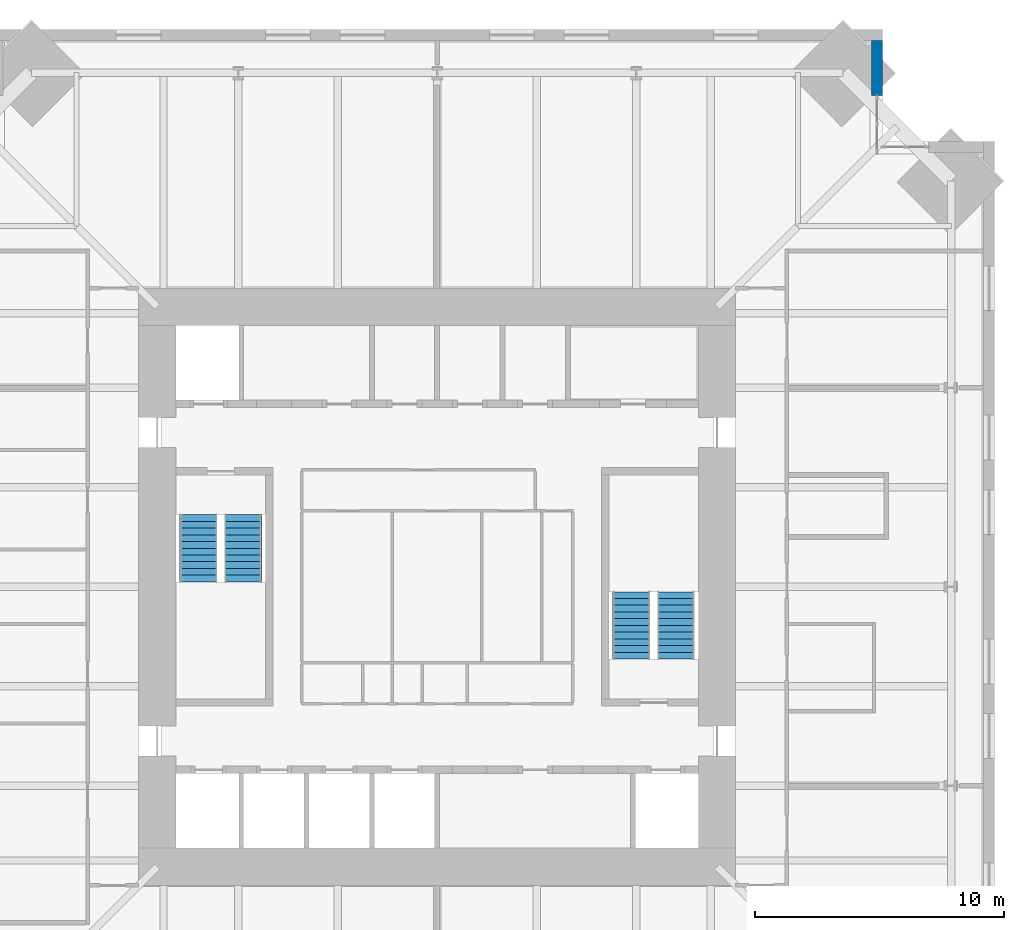
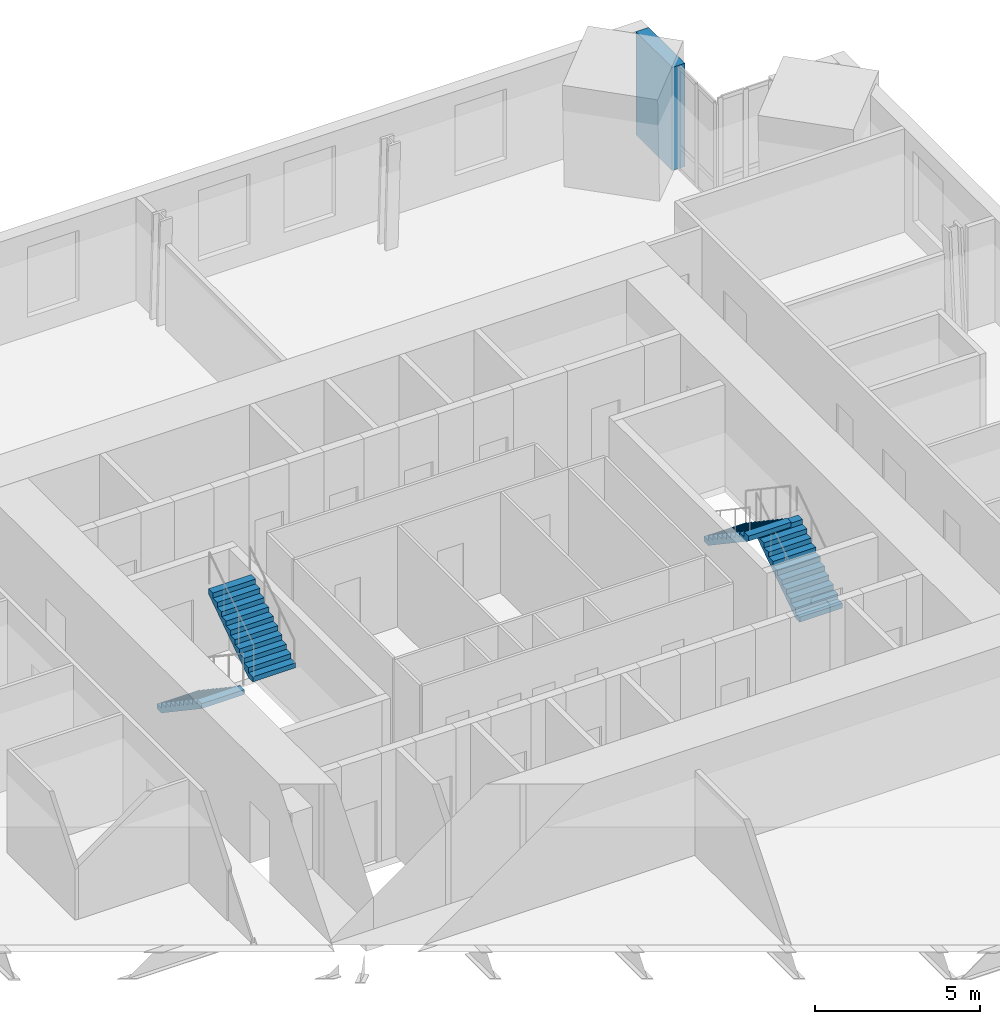
# One storey, part 16 of 17: 4 stair flights, 1 wall, 2 elements without a shape of their own.
"""IFC4 building model written with IfcOpenShell, lengths in metres."""

from ifc_helpers import new_model, si_unit, direction, frame, frame_2d, origin, place, context, subcontext, project, spatial, polyline, rectangle, outline, extrude, material, layer, layer_set, type_object, element, aggregate, save


model = new_model("IFC4")

# Units and contexts
model_context = context("Model", 3, precision=1e-05, world=origin(), true_north=direction((0.0, 1.0)))
body_context = subcontext(model_context, "Body", "Model", "MODEL_VIEW")
ifc_project = project(units=[si_unit("LENGTHUNIT", "METRE"), si_unit("AREAUNIT", "SQUARE_METRE"), si_unit("VOLUMEUNIT", "CUBIC_METRE"), si_unit("PLANEANGLEUNIT", "RADIAN"), si_unit("MASSUNIT", "GRAM", prefix="KILO")], contexts=[model_context])

# Site, building, storey
site_placement = place(None, origin())
site = spatial("IfcSite", under=ifc_project, at=site_placement, CompositionType="ELEMENT")
building_placement = place(site_placement, origin())
building = spatial("IfcBuilding", under=site, at=building_placement, Name="Peilmerk Tower", CompositionType="ELEMENT")
storey_placement = place(building_placement, frame((0.0, 0.0, 253.800048828125)))
storey = spatial("IfcBuildingStorey", under=building, at=storey_placement, Name="L56", CompositionType="ELEMENT", Elevation=253.800048828125)

# Wall
ifc_material_1 = material(Name="Precast concrete C45/55, board-marked finish", Category="concrete")
ifc_layer = layer(ifc_material_1, 0.449951171875)
ifc_layer_set = layer_set([ifc_layer], Name="Precast concrete C45/55, board-marked finish")
wall_type = type_object("IfcWallType", Name="EW1 450 precast concrete facade wall, board-marked", PredefinedType="SOLIDWALL", material=ifc_layer_set)
wall_placement = place(storey_placement, frame((17.675048828125, 19.753662109375, 0.0), z_axis=(0.0, 0.0, 1.0), x_axis=(0.0, 1.0, 0.0)))
element("IfcWall", 1, at=wall_placement, inside=storey, type_object=wall_type, Name="Facade wall NEA L56", PredefinedType="SOLIDWALL", context=body_context, shape_type="SweptSolid", body=[
    extrude(rectangle(XDim=2.1962890625, YDim=0.449951171875, at=frame_2d((1.09814453125, 0.0))), origin(), (0.0, 0.0, 1.0), 3.829833984375),
])

# Stair, stair flights
ifc_material_2 = material(Name="Precast concrete C45/55", Category="concrete")
stair_type_1 = type_object("IfcStairType", Name="ST1 22 risers of 181.8", PredefinedType="HALF_TURN_STAIR", material=ifc_material_2)
stair_1_placement = place(storey_placement, origin())
stair_1 = element("IfcStair", 2, at=stair_1_placement, inside=storey, type_object=stair_type_1, Name="Stair 1 L56 to L57", PredefinedType="HALF_TURN_STAIR")
stair_flight_type = type_object("IfcStairFlightType", Name="SF11 flight, 11 risers of 181.8", PredefinedType="STRAIGHT", material=ifc_material_2)
stair_flight_1_placement = place(storey_placement, frame((-9.60009765625, 2.89990234375, 0.0), z_axis=(0.0, 0.0, 1.0), x_axis=(0.0, -1.0, 0.0)))
stair_flight_1 = element("IfcStairFlight", 3, at=stair_flight_1_placement, type_object=stair_flight_type, Name="ST1 flight 1", NumberOfRisers=11, NumberOfTreads=10, PredefinedType="STRAIGHT", RiserHeight=0.181818182, TreadLength=0.27, context=body_context, shape_type="SweptSolid", body=[
    extrude(outline(polyline([(0.0, 0.0), (0.0, 0.181884765625), (0.27001953125, 0.181884765625), (0.27001953125, 0.363525390625), (0.5400390625, 0.363525390625), (0.5400390625, 0.54541015625), (0.81005859375, 0.54541015625), (0.81005859375, 0.727294921875), (1.080078125, 0.727294921875), (1.080078125, 0.9091796875), (1.35009765625, 0.9091796875), (1.35009765625, 1.0908203125), (1.6201171875, 1.0908203125), (1.6201171875, 1.272705078125), (1.889892578125, 1.272705078125), (1.889892578125, 1.45458984375), (2.159912109375, 1.45458984375), (2.159912109375, 1.636474609375), (2.429931640625, 1.636474609375), (2.429931640625, 1.818115234375), (2.699951171875, 1.818115234375), (2.699951171875, 2.0), (2.699951171875, 1.637451171875), (0.268310546875, 0.0), (0.0, 0.0)])), frame((0.0, 0.75, 0.0), z_axis=(0.0, -1.0, 0.0), x_axis=(1.0, 0.0, 0.0)), (0.0, 0.0, 1.0), 1.5),
])
stair_flight_2_placement = place(storey_placement, frame((-7.800048828125, 0.199951171875, 2.0), z_axis=(0.0, 0.0, 1.0), x_axis=(0.0, 1.0, 0.0)))
stair_flight_2 = element("IfcStairFlight", 4, at=stair_flight_2_placement, type_object=stair_flight_type, Name="ST1 flight 2", NumberOfRisers=11, NumberOfTreads=10, PredefinedType="STRAIGHT", RiserHeight=0.181818182, TreadLength=0.27, context=body_context, shape_type="SweptSolid", body=[
    extrude(outline(polyline([(0.0, 0.0), (0.0, 0.181884765625), (0.27001953125, 0.181884765625), (0.27001953125, 0.363525390625), (0.5400390625, 0.363525390625), (0.5400390625, 0.54541015625), (0.81005859375, 0.54541015625), (0.81005859375, 0.727294921875), (1.080078125, 0.727294921875), (1.080078125, 0.9091796875), (1.35009765625, 0.9091796875), (1.35009765625, 1.0908203125), (1.6201171875, 1.0908203125), (1.6201171875, 1.272705078125), (1.889892578125, 1.272705078125), (1.889892578125, 1.45458984375), (2.159912109375, 1.45458984375), (2.159912109375, 1.636474609375), (2.429931640625, 1.636474609375), (2.429931640625, 1.818115234375), (2.699951171875, 1.818115234375), (2.699951171875, 2.0), (2.699951171875, 1.637451171875), (0.268310546875, 0.0), (0.0, 0.0)])), frame((0.0, 0.75, 0.0), z_axis=(0.0, -1.0, 0.0), x_axis=(1.0, 0.0, 0.0)), (0.0, 0.0, 1.0), 1.5),
])
aggregate(stair_1, [stair_flight_1, stair_flight_2])

stair_type_2 = type_object("IfcStairType", Name="ST2 22 risers of 181.8", PredefinedType="HALF_TURN_STAIR", material=ifc_material_2)
stair_2_placement = place(storey_placement, origin())
stair_2 = element("IfcStair", 5, at=stair_2_placement, inside=storey, type_object=stair_type_2, Name="Stair 2 L56 to L57", PredefinedType="HALF_TURN_STAIR")
stair_flight_3_placement = place(storey_placement, frame((9.60009765625, -2.89990234375, 0.0), z_axis=(0.0, 0.0, 1.0), x_axis=(0.0, 1.0, 0.0)))
stair_flight_3 = element("IfcStairFlight", 6, at=stair_flight_3_placement, type_object=stair_flight_type, Name="ST2 flight 1", NumberOfRisers=11, NumberOfTreads=10, PredefinedType="STRAIGHT", RiserHeight=0.181818182, TreadLength=0.27, context=body_context, shape_type="SweptSolid", body=[
    extrude(outline(polyline([(0.0, 0.0), (0.0, 0.181884765625), (0.27001953125, 0.181884765625), (0.27001953125, 0.363525390625), (0.5400390625, 0.363525390625), (0.5400390625, 0.54541015625), (0.81005859375, 0.54541015625), (0.81005859375, 0.727294921875), (1.080078125, 0.727294921875), (1.080078125, 0.9091796875), (1.35009765625, 0.9091796875), (1.35009765625, 1.0908203125), (1.6201171875, 1.0908203125), (1.6201171875, 1.272705078125), (1.889892578125, 1.272705078125), (1.889892578125, 1.45458984375), (2.159912109375, 1.45458984375), (2.159912109375, 1.636474609375), (2.429931640625, 1.636474609375), (2.429931640625, 1.818115234375), (2.699951171875, 1.818115234375), (2.699951171875, 2.0), (2.699951171875, 1.637451171875), (0.268310546875, 0.0), (0.0, 0.0)])), frame((0.0, 0.75, 0.0), z_axis=(0.0, -1.0, 0.0), x_axis=(1.0, 0.0, 0.0)), (0.0, 0.0, 1.0), 1.5),
])
stair_flight_4_placement = place(storey_placement, frame((7.800048828125, -0.199951171875, 2.0), z_axis=(0.0, 0.0, 1.0), x_axis=(0.0, -1.0, 0.0)))
stair_flight_4 = element("IfcStairFlight", 7, at=stair_flight_4_placement, type_object=stair_flight_type, Name="ST2 flight 2", NumberOfRisers=11, NumberOfTreads=10, PredefinedType="STRAIGHT", RiserHeight=0.181818182, TreadLength=0.27, context=body_context, shape_type="SweptSolid", body=[
    extrude(outline(polyline([(0.0, 0.0), (0.0, 0.181884765625), (0.27001953125, 0.181884765625), (0.27001953125, 0.363525390625), (0.5400390625, 0.363525390625), (0.5400390625, 0.54541015625), (0.81005859375, 0.54541015625), (0.81005859375, 0.727294921875), (1.080078125, 0.727294921875), (1.080078125, 0.9091796875), (1.35009765625, 0.9091796875), (1.35009765625, 1.0908203125), (1.6201171875, 1.0908203125), (1.6201171875, 1.272705078125), (1.889892578125, 1.272705078125), (1.889892578125, 1.45458984375), (2.159912109375, 1.45458984375), (2.159912109375, 1.636474609375), (2.429931640625, 1.636474609375), (2.429931640625, 1.818115234375), (2.699951171875, 1.818115234375), (2.699951171875, 2.0), (2.699951171875, 1.637451171875), (0.268310546875, 0.0), (0.0, 0.0)])), frame((0.0, 0.75, 0.0), z_axis=(0.0, -1.0, 0.0), x_axis=(1.0, 0.0, 0.0)), (0.0, 0.0, 1.0), 1.5),
])
aggregate(stair_2, [stair_flight_3, stair_flight_4])

save(model, "model.ifc")
